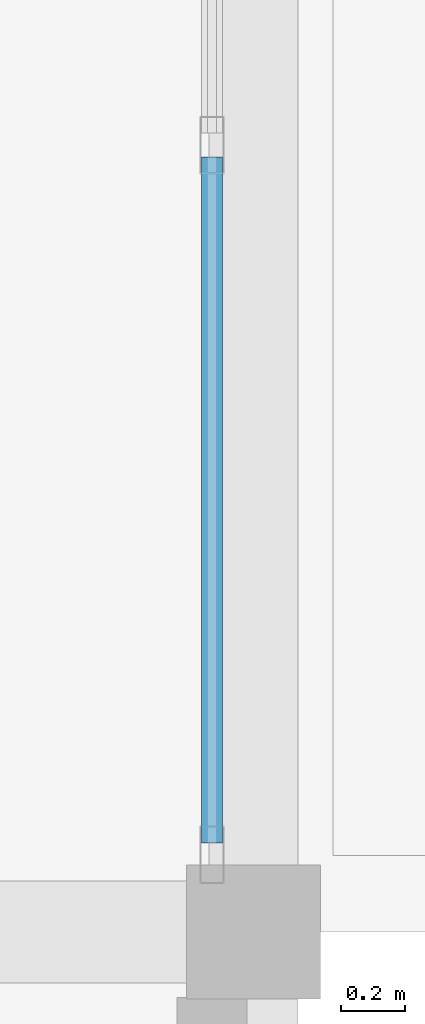
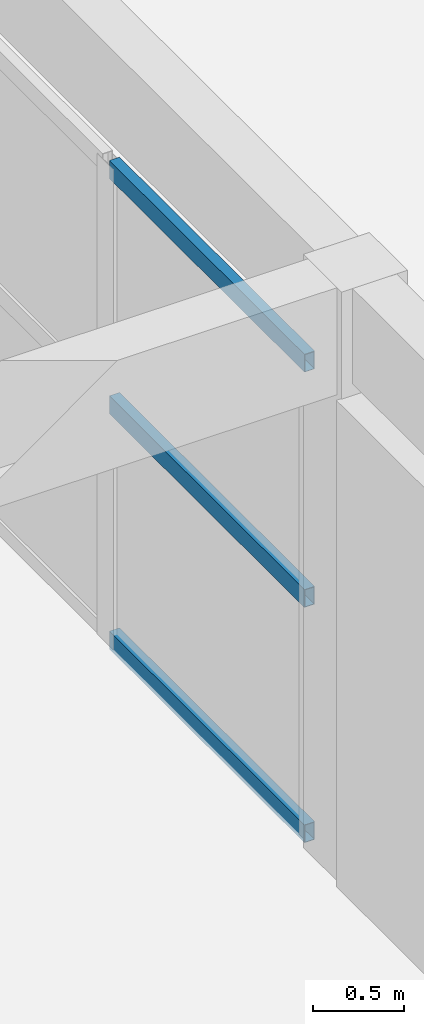
# One storey, part 13 of 68: 3 members, 1 element without a shape of its own.
"""IFC4 building model written with IfcOpenShell, lengths in metres."""

from ifc_helpers import new_model, si_unit, direction, frame, origin, origin_2d, place, context, subcontext, project, spatial, hollow_rectangle, extrude, material, material_profile, profile_set, type_object, element, aggregate, save


model = new_model("IFC4")

# Units and contexts
model_context = context("Model", 3, precision=1e-05, world=origin(), true_north=direction((0.0, 1.0)))
body_context = subcontext(model_context, "Body", "Model", "MODEL_VIEW")
ifc_project = project(units=[si_unit("LENGTHUNIT", "METRE"), si_unit("AREAUNIT", "SQUARE_METRE"), si_unit("VOLUMEUNIT", "CUBIC_METRE"), si_unit("PLANEANGLEUNIT", "RADIAN"), si_unit("MASSUNIT", "GRAM", prefix="KILO")], contexts=[model_context])

# Site, building, storey
site_placement = place(None, origin())
site = spatial("IfcSite", under=ifc_project, at=site_placement, CompositionType="ELEMENT")
building_placement = place(site_placement, origin())
building = spatial("IfcBuilding", under=site, at=building_placement, Name="Bramvelor Terrace Health Centre", CompositionType="ELEMENT")
storey_placement = place(building_placement, frame((0.0, 0.0, 9.300048828125)))
storey = spatial("IfcBuildingStorey", under=building, at=storey_placement, Name="L03", CompositionType="ELEMENT", Elevation=9.300048828125)

# Curtain wall, members
ifc_material_1 = material(Name="Anodized aluminium and double low-E glass", Category="aluminium")
curtain_wall_type = type_object("IfcCurtainWallType", Name="CW-SYS-27", PredefinedType="NOTDEFINED", material=ifc_material_1)
curtain_wall_placement = place(storey_placement, origin())
curtain_wall = element("IfcCurtainWall", 1, at=curtain_wall_placement, inside=storey, type_object=curtain_wall_type, Name="L03 Unitized Curtain Wall 154", PredefinedType="NOTDEFINED")
ifc_material_2 = material(Name="Anodized aluminium 6063-T6", Category="aluminium")
ifc_material_profile = material_profile(ifc_material_2, hollow_rectangle(XDim=0.06494140625, YDim=0.1201171875, WallThickness=0.0029296875, at=origin_2d()), Name="ALU-TRN 65x120x3.0")
ifc_profile_set = profile_set([ifc_material_profile], Name="Anodized aluminium 6063-T6")
member_type = type_object("IfcMemberType", Name="CW-TRN-65x150", PredefinedType="USERDEFINED", material=ifc_profile_set)
member_1_placement = place(storey_placement, frame((21.469970703125, 52.830810546875, 0.032470703125), z_axis=(0.0, -1.0, 0.0), x_axis=(1.0, 0.0, 0.0)))
member_1 = element("IfcMember", 2, at=member_1_placement, type_object=member_type, Name="CW-27 transom 3.1", ObjectType="TRANSOM", PredefinedType="USERDEFINED", context=body_context, shape_type="SweptSolid", body=[
    extrude(hollow_rectangle(XDim=0.06494140625, YDim=0.1201171875, WallThickness=0.0029296875, at=origin_2d()), origin(), (0.0, 0.0, 1.0), 2.15087890625),
])
member_2_placement = place(storey_placement, frame((21.469970703125, 52.830810546875, 1.614990234375), z_axis=(0.0, -1.0, 0.0), x_axis=(1.0, 0.0, 0.0)))
member_2 = element("IfcMember", 3, at=member_2_placement, type_object=member_type, Name="CW-27 transom 3.2", ObjectType="TRANSOM", PredefinedType="USERDEFINED", context=body_context, shape_type="SweptSolid", body=[
    extrude(hollow_rectangle(XDim=0.06494140625, YDim=0.1201171875, WallThickness=0.0029296875, at=origin_2d()), origin(), (0.0, 0.0, 1.0), 2.15087890625),
])
member_3_placement = place(storey_placement, frame((21.469970703125, 52.830810546875, 3.197509765625), z_axis=(0.0, -1.0, 0.0), x_axis=(1.0, 0.0, 0.0)))
member_3 = element("IfcMember", 4, at=member_3_placement, type_object=member_type, Name="CW-27 transom 3.3", ObjectType="TRANSOM", PredefinedType="USERDEFINED", context=body_context, shape_type="SweptSolid", body=[
    extrude(hollow_rectangle(XDim=0.06494140625, YDim=0.1201171875, WallThickness=0.0029296875, at=origin_2d()), origin(), (0.0, 0.0, 1.0), 2.15087890625),
])
aggregate(curtain_wall, [member_1, member_2, member_3])

save(model, "model.ifc")
